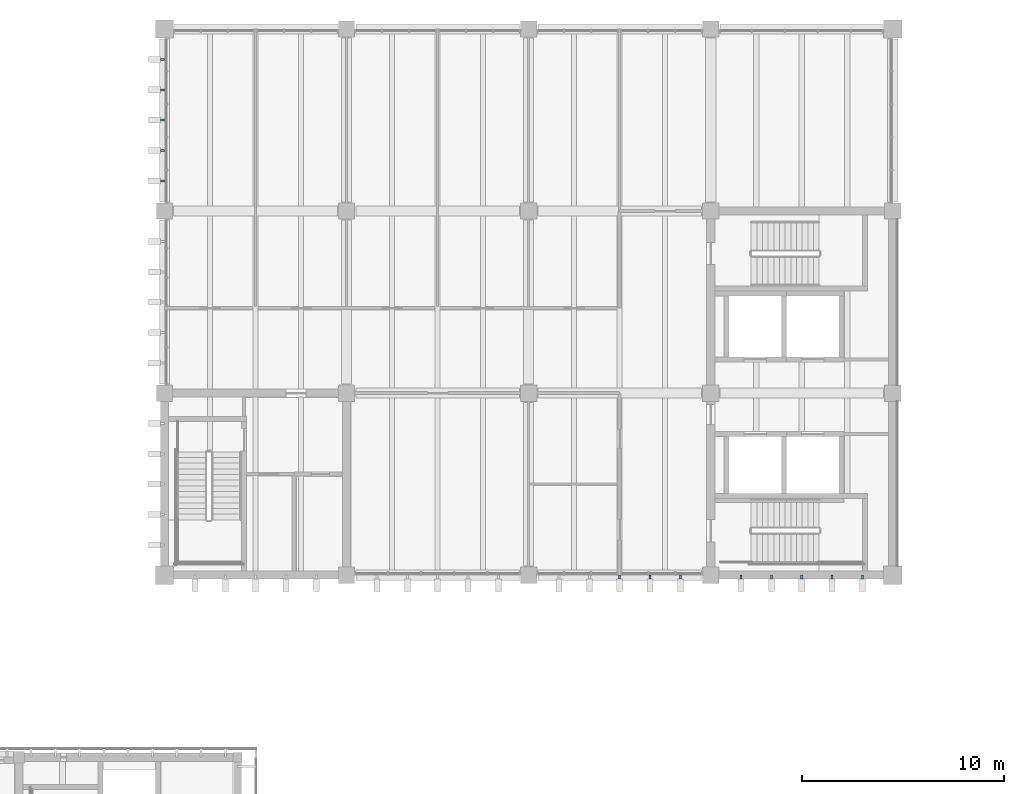
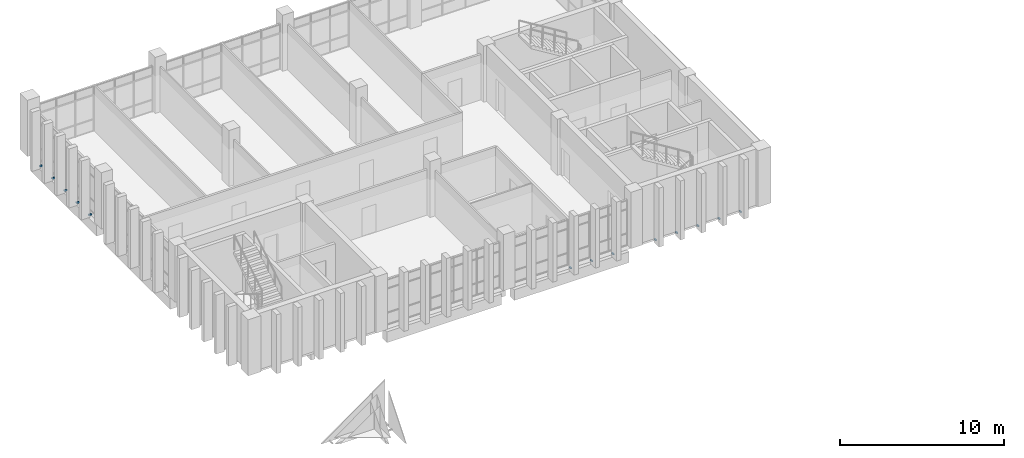
# One storey, part 39 of 50: 13 discrete accessories.
"""IFC4 building model written with IfcOpenShell, lengths in metres."""

import ifcopenshell
import ifcopenshell.guid

model = None  # the IFC model being written
_history = None  # IfcOwnerHistory: only IFC2X3 demands one
_inside = {}  # id of a spatial element -> (the spatial element, [elements in it])
_under = {}  # id of a project, library or spatial element -> (it, [spatial elements below it])
_declared = {}  # id of a project -> (the project, [libraries it declares])
_typed = {}  # id of a type object -> (the type object, [elements of that type])
_made_of = {}  # id of a material, layer set ... -> (it, [elements and type objects made of it])


def new_model(schema):
    """Start an empty IFC model of exactly this schema.

    Asked for "IFC4X3", IfcOpenShell would pick the latest addendum, in which some entities
    have other attributes; the version numbers below select the first issue.
    IFC2X3 requires an IfcOwnerHistory on every rooted entity: one is made here for all.
    """
    global model, _history
    if schema == "IFC4X3":
        model = ifcopenshell.file(schema_version=(4, 3, 0, 0))
    else:
        model = ifcopenshell.file(schema=schema)
    _inside.clear()
    _under.clear()
    _declared.clear()
    _typed.clear()
    _made_of.clear()
    _history = None
    if model.schema == "IFC2X3":
        org = make("IfcOrganization", Name="unknown")
        user = make(
            "IfcPersonAndOrganization",
            ThePerson=make("IfcPerson", FamilyName="unknown"),
            TheOrganization=org,
        )
        app = make(
            "IfcApplication",
            ApplicationDeveloper=org,
            Version="unknown",
            ApplicationFullName="unknown",
            ApplicationIdentifier="unknown",
        )
        _history = make(
            "IfcOwnerHistory",
            OwningUser=user,
            OwningApplication=app,
            ChangeAction="ADDED",
            CreationDate=0,
        )
    return model


def make(cls, **values):
    """One entity of the class cls with the attributes given. An attribute that is None is left unset."""
    return model.create_entity(
        cls, **{name: value for name, value in values.items() if value is not None}
    )


def rooted(cls, **values):
    """An entity with a GlobalId (a new one), such as an element, a storey or a relation."""
    return make(cls, GlobalId=ifcopenshell.guid.new(), OwnerHistory=_history, **values)


def si_unit(unit_type, name, prefix=None):
    """IfcSIUnit, for example si_unit("LENGTHUNIT", "METRE", prefix="MILLI")."""
    return make("IfcSIUnit", UnitType=unit_type, Prefix=prefix, Name=name)


def assignment(units):
    """IfcUnitAssignment: the units of a project."""
    return None if units is None else make("IfcUnitAssignment", Units=units)


def point(xyz):
    """IfcCartesianPoint."""
    return None if xyz is None else make("IfcCartesianPoint", Coordinates=xyz)


def direction(xyz):
    """IfcDirection."""
    return None if xyz is None else make("IfcDirection", DirectionRatios=xyz)


def frame(location, z_axis=None, x_axis=None):
    """IfcAxis2Placement3D, a coordinate frame: its origin and axes. An axis left out is left unset."""
    return make(
        "IfcAxis2Placement3D",
        Location=point(location),
        Axis=direction(z_axis),
        RefDirection=direction(x_axis),
    )


def origin():
    """The frame at (0, 0, 0) with its axes left unset."""
    return frame((0.0, 0.0, 0.0))


def place(relative_to, where):
    """IfcLocalPlacement: puts the frame where relative to a parent placement (None: the world)."""
    return make(
        "IfcLocalPlacement", PlacementRelTo=relative_to, RelativePlacement=where
    )


def context(
    kind, dimensions, precision=None, world=None, true_north=None, identifier=None
):
    """IfcGeometricRepresentationContext, for example the 3D "Model" context."""
    return make(
        "IfcGeometricRepresentationContext",
        ContextIdentifier=identifier,
        ContextType=kind,
        CoordinateSpaceDimension=dimensions,
        Precision=precision,
        WorldCoordinateSystem=world,
        TrueNorth=true_north,
    )


def subcontext(parent, identifier, kind, view, scale=None):
    """IfcGeometricRepresentationSubContext, for example "Body" below "Model"."""
    return make(
        "IfcGeometricRepresentationSubContext",
        ContextIdentifier=identifier,
        ContextType=kind,
        ParentContext=parent,
        TargetScale=scale,
        TargetView=view,
    )


def project(units=None, contexts=None):
    """IfcProject with its units and contexts."""
    return rooted(
        "IfcProject",
        Name="project",
        RepresentationContexts=contexts,
        UnitsInContext=assignment(units),
    )


def spatial(cls, under=None, at=None, **own):
    """A site, building, storey or space (cls), placed at a placement, below another one or the project."""
    s = rooted(cls, ObjectPlacement=at, **own)
    if under is not None:
        _under.setdefault(under.id(), (under, []))[1].append(s)
    return s


def polyline(points):
    """IfcPolyline through the points."""
    return make("IfcPolyline", Points=[point(p) for p in points])


def outline(outer, holes=None, kind="AREA"):
    """IfcArbitraryClosedProfileDef: a profile drawn as a closed curve; with holes, ...WithVoids."""
    if holes is None:
        return make("IfcArbitraryClosedProfileDef", ProfileType=kind, OuterCurve=outer)
    return make(
        "IfcArbitraryProfileDefWithVoids",
        ProfileType=kind,
        OuterCurve=outer,
        InnerCurves=holes,
    )


def extrude(swept, where, along, depth):
    """IfcExtrudedAreaSolid: the profile swept, set in the frame where, extruded along a direction by depth."""
    return make(
        "IfcExtrudedAreaSolid",
        SweptArea=swept,
        Position=where,
        ExtrudedDirection=direction(along),
        Depth=depth,
    )


def shape(context_of_items, identifier, shape_type, items):
    """IfcShapeRepresentation: the items that make up one representation, for example the "Body"."""
    return make(
        "IfcShapeRepresentation",
        ContextOfItems=context_of_items,
        RepresentationIdentifier=identifier,
        RepresentationType=shape_type,
        Items=items,
    )


def source(mapping_origin, context_of_items, identifier, shape_type, items):
    """IfcRepresentationMap: a shape defined once, which mapped items show again and again."""
    return make(
        "IfcRepresentationMap",
        MappingOrigin=mapping_origin,
        MappedRepresentation=shape(context_of_items, identifier, shape_type, items),
    )


def transform(
    local_origin,
    x_axis=None,
    y_axis=None,
    z_axis=None,
    scale=None,
    scale2=None,
    scale3=None,
    uniform=True,
):
    """IfcCartesianTransformationOperator3D, or its non-uniform kind. x_axis, y_axis, z_axis: its Axis1, 2, 3."""
    if uniform:
        return make(
            "IfcCartesianTransformationOperator3D",
            Axis1=direction(x_axis),
            Axis2=direction(y_axis),
            LocalOrigin=point(local_origin),
            Scale=scale,
            Axis3=direction(z_axis),
        )
    return make(
        "IfcCartesianTransformationOperator3DnonUniform",
        Axis1=direction(x_axis),
        Axis2=direction(y_axis),
        LocalOrigin=point(local_origin),
        Scale=scale,
        Axis3=direction(z_axis),
        Scale2=scale2,
        Scale3=scale3,
    )


def mapped(mapping_source, mapping_target):
    """IfcMappedItem: shows the shape of a source again, moved by a transform."""
    return make(
        "IfcMappedItem", MappingSource=mapping_source, MappingTarget=mapping_target
    )


def material(Name=None, Category=None):
    """IfcMaterial."""
    return make("IfcMaterial", Name=Name, Category=Category)


def made_of(thing, what):
    """Note that an element or type object is made of a material, layer set ...; save() writes the relation."""
    if what is not None:
        _made_of.setdefault(what.id(), (what, []))[1].append(thing)
    return thing


def type_object(cls, material=None, **own):
    """A type object (cls), such as IfcWallType, which elements share."""
    return made_of(rooted(cls, **own), material)


def element(
    cls,
    number,
    at=None,
    inside=None,
    cuts=None,
    type_object=None,
    material=None,
    context=None,
    identifier="Body",
    shape_type=None,
    held_by="IfcProductDefinitionShape",
    body=None,
    shapes=None,
    **own,
):
    """One element of the class cls, such as IfcWall. Its Tag is "e" and its number.

    at: its placement. inside: the storey or other place that contains it. cuts: it is an
    opening in that element (IfcRelVoidsElement). A single representation is given by context,
    identifier, shape_type and body (its items); several are given by shapes. held_by: the class
    of the entity that holds the representations. save() writes the other relations.
    """
    e = rooted(cls, Tag="e%d" % number, ObjectPlacement=at, **own)
    if body is not None:
        shapes = [shape(context, identifier, shape_type, body)]
    if shapes is not None:
        e.Representation = make(held_by, Representations=shapes)
    if inside is not None:
        _inside.setdefault(inside.id(), (inside, []))[1].append(e)
    if cuts is not None:
        rooted(
            "IfcRelVoidsElement", RelatingBuildingElement=cuts, RelatedOpeningElement=e
        )
    if type_object is not None:
        _typed.setdefault(type_object.id(), (type_object, []))[1].append(e)
    return made_of(e, material)


def aggregate(whole, parts):
    """IfcRelAggregates: a whole, such as a stair, and the parts it consists of."""
    return rooted("IfcRelAggregates", RelatingObject=whole, RelatedObjects=parts)


def save(model, path):
    """Write the relations noted so far, then the file.

    IfcRelAggregates (storeys below a building ...), IfcRelContainedInSpatialStructure (elements
    in a storey), IfcRelDefinesByType, IfcRelAssociatesMaterial and IfcRelDeclares: one each for
    every whole, place, type object, material and project.
    """
    for whole, parts in _under.values():
        aggregate(whole, parts)
    for where, things in _inside.values():
        rooted(
            "IfcRelContainedInSpatialStructure",
            RelatedElements=things,
            RelatingStructure=where,
        )
    for kind, things in _typed.values():
        rooted("IfcRelDefinesByType", RelatedObjects=things, RelatingType=kind)
    for what, things in _made_of.values():
        rooted("IfcRelAssociatesMaterial", RelatedObjects=things, RelatingMaterial=what)
    for by, libraries in _declared.values():
        rooted("IfcRelDeclares", RelatingContext=by, RelatedDefinitions=libraries)
    model.write(path)


model = new_model("IFC4")

# Units and contexts
model_context = context("Model", 3, precision=1e-05, world=origin(), true_north=direction((0.0, 1.0)))
body_context = subcontext(model_context, "Body", "Model", "MODEL_VIEW")
ifc_project = project(units=[si_unit("LENGTHUNIT", "METRE"), si_unit("AREAUNIT", "SQUARE_METRE"), si_unit("VOLUMEUNIT", "CUBIC_METRE"), si_unit("PLANEANGLEUNIT", "RADIAN"), si_unit("MASSUNIT", "GRAM", prefix="KILO")], contexts=[model_context])

# Site, building, storey
site_placement = place(None, origin())
site = spatial("IfcSite", under=ifc_project, at=site_placement, CompositionType="ELEMENT")
building_placement = place(site_placement, origin())
building = spatial("IfcBuilding", under=site, at=building_placement, Name="Merrow Basin Faculty of Sciences", CompositionType="ELEMENT")
storey_placement = place(building_placement, frame((0.0, 0.0, 18.0)))
storey = spatial("IfcBuildingStorey", under=building, at=storey_placement, Name="L04", CompositionType="ELEMENT", Elevation=18.0)

# Discrete accessories
ifc_material = material(Name="Steel ASTM A572 Gr 50", Category="steel")
discrete_accessory_type = type_object("IfcDiscreteAccessoryType", Name="Steel T bracket 100 x 80 fin", PredefinedType="BRACKET", material=ifc_material)
shared_shape = source(origin(), body_context, "Body", "SweptSolid", [
    extrude(outline(polyline([(0.0, 0.0), (0.10009765625, 0.0), (0.10009765625, 0.080078125), (0.0, 0.080078125), (0.0, 0.0)])), origin(), (0.0, 0.0, 1.0), 0.199951171875),
])
for number, where, z_axis, x_axis, name in (
    (1, (40.449951171875, 142.0, -0.199951171875), (0.0, -1.0, 0.0), (1.0, 0.0, 0.0), "Fin bracket SL04"),
    (2, (41.949951171875, 142.0, -0.199951171875), (0.0, -1.0, 0.0), (1.0, 0.0, 0.0), "Fin bracket SL04"),
    (3, (43.449951171875, 142.0, -0.199951171875), (0.0, -1.0, 0.0), (1.0, 0.0, 0.0), "Fin bracket SL04"),
    (4, (46.449951171875, 142.0, -0.199951171875), (0.0, -1.0, 0.0), (1.0, 0.0, 0.0), "Fin bracket SL04"),
    (5, (47.949951171875, 142.0, -0.199951171875), (0.0, -1.0, 0.0), (1.0, 0.0, 0.0), "Fin bracket SL04"),
    (6, (49.449951171875, 142.0, -0.199951171875), (0.0, -1.0, 0.0), (1.0, 0.0, 0.0), "Fin bracket SL04"),
    (7, (50.949951171875, 142.0, -0.199951171875), (0.0, -1.0, 0.0), (1.0, 0.0, 0.0), "Fin bracket SL04"),
    (8, (52.449951171875, 142.0, -0.199951171875), (0.0, -1.0, 0.0), (1.0, 0.0, 0.0), "Fin bracket SL04"),
    (9, (18.0, 161.550048828125, -0.199951171875), (-1.0, 0.0, 0.0), (0.0, -1.0, 0.0), "Fin bracket WL04"),
    (10, (18.0, 163.050048828125, -0.199951171875), (-1.0, 0.0, 0.0), (0.0, -1.0, 0.0), "Fin bracket WL04"),
    (11, (18.0, 164.550048828125, -0.199951171875), (-1.0, 0.0, 0.0), (0.0, -1.0, 0.0), "Fin bracket WL04"),
    (12, (18.0, 166.050048828125, -0.199951171875), (-1.0, 0.0, 0.0), (0.0, -1.0, 0.0), "Fin bracket WL04"),
    (13, (18.0, 167.550048828125, -0.199951171875), (-1.0, 0.0, 0.0), (0.0, -1.0, 0.0), "Fin bracket WL04"),
):
    element("IfcDiscreteAccessory", number, at=place(storey_placement, frame(where, z_axis=z_axis, x_axis=x_axis)), inside=storey, type_object=discrete_accessory_type, Name=name, PredefinedType="BRACKET", context=body_context, shape_type="MappedRepresentation", body=[
        mapped(shared_shape, transform((0.0, 0.0, 0.0), scale=1.0)),
    ])

save(model, "model.ifc")
